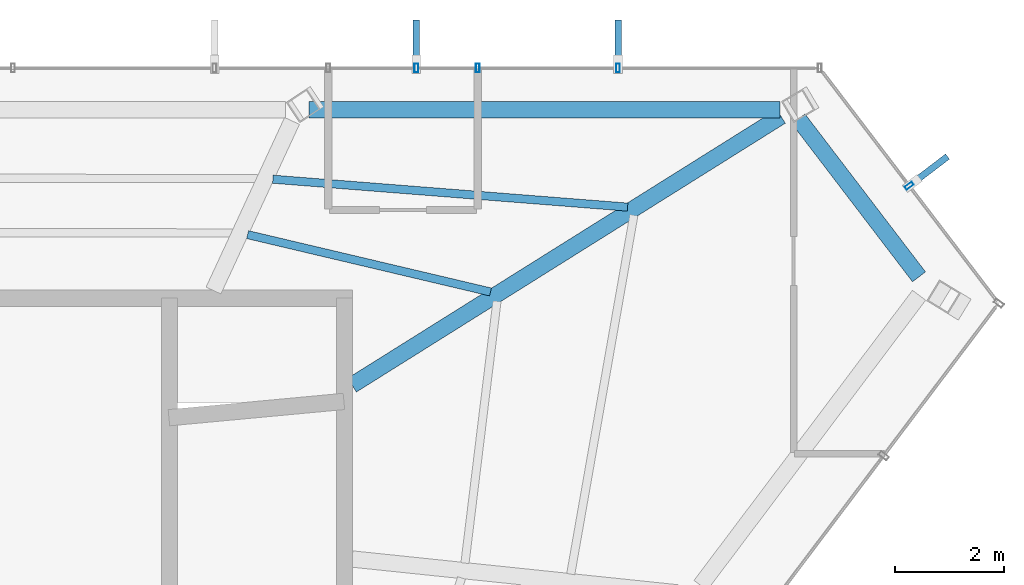
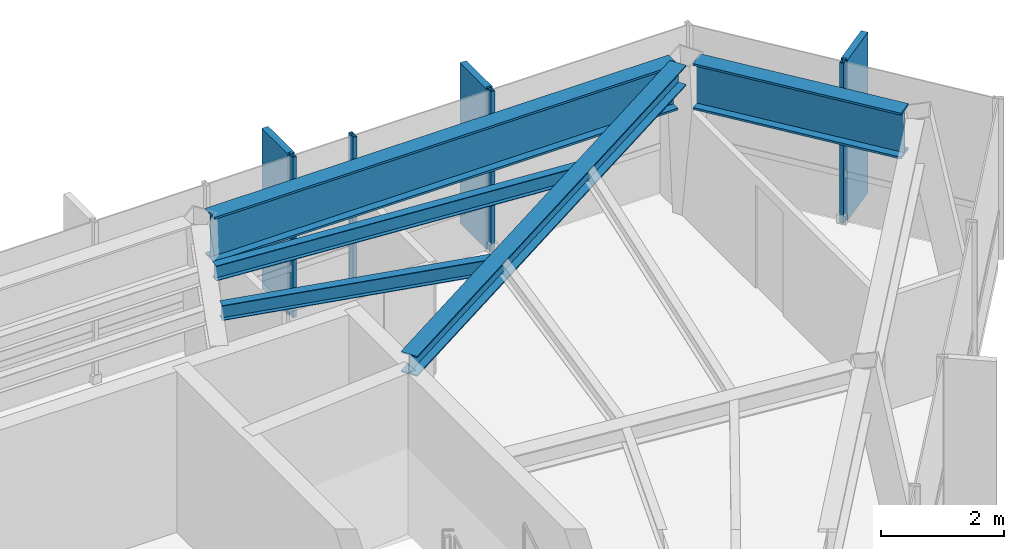
# One storey, part 16 of 21: 7 members, 5 beams, 2 elements without a shape of their own.
"""IFC4 building model written with IfcOpenShell, lengths in metres."""

from ifc_helpers import new_model, si_unit, direction, frame, origin, origin_2d, place, context, subcontext, project, spatial, rectangle, hollow_rectangle, i_section, extrude, material, layer, layer_set, material_profile, profile_set, type_object, element, aggregate, save


model = new_model("IFC4")

# Units and contexts
model_context = context("Model", 3, precision=1e-05, world=origin(), true_north=direction((0.0, 1.0)))
body_context = subcontext(model_context, "Body", "Model", "MODEL_VIEW")
ifc_project = project(units=[si_unit("LENGTHUNIT", "METRE"), si_unit("AREAUNIT", "SQUARE_METRE"), si_unit("VOLUMEUNIT", "CUBIC_METRE"), si_unit("PLANEANGLEUNIT", "RADIAN"), si_unit("MASSUNIT", "GRAM", prefix="KILO")], contexts=[model_context])

# Site, building, storey
site_placement = place(None, origin())
site = spatial("IfcSite", under=ifc_project, at=site_placement, CompositionType="ELEMENT")
building_placement = place(site_placement, origin())
building = spatial("IfcBuilding", under=site, at=building_placement, Name="Zarrinselat Tower", CompositionType="ELEMENT")
storey_placement = place(building_placement, frame((0.0, 0.0, 285.60009765625)))
storey = spatial("IfcBuildingStorey", under=building, at=storey_placement, Name="L73", CompositionType="ELEMENT", Elevation=285.60009765625)

# Beams
ifc_material_1 = material(Name="Steel S355J2", Category="steel")
ifc_material_profile_1 = material_profile(ifc_material_1, i_section(OverallWidth=0.300048828125, OverallDepth=0.39990234375, WebThickness=0.013427734375, FlangeThickness=0.02392578125, at=origin_2d()), Name="HEB 400")
ifc_profile_set_1 = profile_set([ifc_material_profile_1], Name="Steel S355J2")
beam_type_1 = type_object("IfcBeamType", Name="BM-HEB400", PredefinedType="BEAM", material=ifc_profile_set_1)
beam_1_placement = place(storey_placement, frame((48.35009765625, 41.800048828125, 2.97998046875), z_axis=(0.847376332873, 0.53099279702, 0.0), x_axis=(-0.53099279702, 0.847376332873, 0.0)))
element("IfcBeam", 1, at=beam_1_placement, inside=storey, type_object=beam_type_1, Name="L73 Radial Primary Girder RG01", PredefinedType="BEAM", context=body_context, shape_type="SweptSolid", body=[
    extrude(i_section(OverallWidth=0.300048828125, OverallDepth=0.39990234375, WebThickness=0.013427734375, FlangeThickness=0.02392578125, at=origin_2d()), origin(), (0.0, 0.0, 1.0), 9.314697265625),
])
ifc_material_2 = material(Name="Steel S460M", Category="steel")
ifc_material_profile_2 = material_profile(ifc_material_2, i_section(OverallWidth=0.302001953125, OverallDepth=0.909912109375, WebThickness=0.02099609375, FlangeThickness=0.0400390625, at=origin_2d()), Name="HEM 900")
ifc_profile_set_2 = profile_set([ifc_material_profile_2], Name="Steel S460M")
beam_type_2 = type_object("IfcBeamType", Name="BM-HEM900", PredefinedType="BEAM", material=ifc_profile_set_2)
beam_2_placement = place(storey_placement, frame((47.553466796875, 46.86669921875, 2.724853515625), z_axis=(1.0, 0.0, 0.0), x_axis=(0.0, 1.0, 0.0)))
element("IfcBeam", 2, at=beam_2_placement, inside=storey, type_object=beam_type_2, Name="L73 Perimeter Spandrel Girder SP01", PredefinedType="BEAM", context=body_context, shape_type="SweptSolid", body=[
    extrude(i_section(OverallWidth=0.302001953125, OverallDepth=0.909912109375, WebThickness=0.02099609375, FlangeThickness=0.0400390625, at=origin_2d()), origin(), (0.0, 0.0, 1.0), 8.669189453125),
])
beam_3_placement = place(storey_placement, frame((56.564697265625, 46.697509765625, 2.724853515625), z_axis=(0.606807728464, -0.794848652686, 0.0), x_axis=(0.794848652686, 0.606807728464, 0.0)))
element("IfcBeam", 3, at=beam_3_placement, inside=storey, type_object=beam_type_2, Name="L73 Perimeter Spandrel Girder SP15", PredefinedType="BEAM", context=body_context, shape_type="SweptSolid", body=[
    extrude(i_section(OverallWidth=0.302001953125, OverallDepth=0.909912109375, WebThickness=0.02099609375, FlangeThickness=0.0400390625, at=origin_2d()), origin(), (0.0, 0.0, 1.0), 3.65478515625),
])
ifc_material_3 = material(Name="Steel S355J2", Category="steel")
ifc_material_profile_3 = material_profile(ifc_material_3, i_section(OverallWidth=0.14990234375, OverallDepth=0.300048828125, WebThickness=0.007080078125, FlangeThickness=0.0107421875, at=origin_2d()), Name="IPE 300")
ifc_profile_set_3 = profile_set([ifc_material_profile_3], Name="Steel S355J2")
beam_type_3 = type_object("IfcBeamType", Name="BM-IPE300", PredefinedType="JOIST", material=ifc_profile_set_3)
beam_4_placement = place(storey_placement, frame((46.893310546875, 45.588623046875, 3.02978515625), z_axis=(0.996922968668, -0.078387464188, 0.0), x_axis=(0.078387464188, 0.996922968668, 0.0)))
element("IfcBeam", 4, at=beam_4_placement, inside=storey, type_object=beam_type_3, Name="L73 Composite Floor Joist 6-1", PredefinedType="JOIST", context=body_context, shape_type="SweptSolid", body=[
    extrude(i_section(OverallWidth=0.14990234375, OverallDepth=0.300048828125, WebThickness=0.007080078125, FlangeThickness=0.0107421875, at=origin_2d()), origin(), (0.0, 0.0, 1.0), 6.546875),
])
beam_5_placement = place(storey_placement, frame((46.427490234375, 44.56884765625, 3.02978515625), z_axis=(0.973262878143, -0.229694079221, 0.0), x_axis=(0.229694079221, 0.973262878143, 0.0)))
element("IfcBeam", 5, at=beam_5_placement, inside=storey, type_object=beam_type_3, Name="L73 Composite Floor Joist 6-2", PredefinedType="JOIST", context=body_context, shape_type="SweptSolid", body=[
    extrude(i_section(OverallWidth=0.14990234375, OverallDepth=0.300048828125, WebThickness=0.007080078125, FlangeThickness=0.0107421875, at=origin_2d()), origin(), (0.0, 0.0, 1.0), 4.5927734375),
])

# Curtain wall, members
ifc_material_4 = material(Name="Extruded Aluminium Alloy EN AW-6063 T6", Category="aluminium")
ifc_layer = layer(ifc_material_4, 0.169921875)
ifc_layer_set = layer_set([ifc_layer], Name="Extruded Aluminium Alloy EN AW-6063 T6")
curtain_wall_type = type_object("IfcCurtainWallType", Name="CWS-RES", PredefinedType="NOTDEFINED", material=ifc_layer_set)
curtain_wall_1_placement = place(storey_placement, origin())
curtain_wall_1 = element("IfcCurtainWall", 6, at=curtain_wall_1_placement, inside=storey, type_object=curtain_wall_type, Name="L73 Unitised Curtain Wall CW-L73-E01", PredefinedType="NOTDEFINED")
ifc_material_5 = material(Name="Extruded Aluminium Alloy EN AW-6063 T6", Category="aluminium")
ifc_material_profile_4 = material_profile(ifc_material_5, hollow_rectangle(XDim=0.070068359375, YDim=0.159912109375, WallThickness=0.00390625, at=origin_2d()), Name="RHS 160x70x4")
ifc_profile_set_4 = profile_set([ifc_material_profile_4], Name="Extruded Aluminium Alloy EN AW-6063 T6")
member_type_1 = type_object("IfcMemberType", Name="MEM-CW-MUL2", PredefinedType="MULLION", material=ifc_profile_set_4)
member_1_placement = place(storey_placement, frame((53.244140625, 47.63330078125, 0.0), z_axis=(0.0, 0.0, 1.0), x_axis=(-1.0, 0.0, 0.0)))
member_1 = element("IfcMember", 7, at=member_1_placement, type_object=member_type_1, Name="CW-L73-E01 Mullion 1", PredefinedType="MULLION", context=body_context, shape_type="SweptSolid", body=[
    extrude(hollow_rectangle(XDim=0.070068359375, YDim=0.159912109375, WallThickness=0.00390625, at=origin_2d()), origin(), (0.0, 0.0, 1.0), 3.179931640625),
])
member_2_placement = place(storey_placement, frame((50.66259765625, 47.63330078125, 0.0), z_axis=(0.0, 0.0, 1.0), x_axis=(-1.0, 0.0, 0.0)))
member_2 = element("IfcMember", 8, at=member_2_placement, type_object=member_type_1, Name="CW-L73-E01 Mullion 2", PredefinedType="MULLION", context=body_context, shape_type="SweptSolid", body=[
    extrude(hollow_rectangle(XDim=0.070068359375, YDim=0.159912109375, WallThickness=0.00390625, at=origin_2d()), origin(), (0.0, 0.0, 1.0), 3.179931640625),
])
member_3_placement = place(storey_placement, frame((49.532958984375, 47.63330078125, 0.0), z_axis=(0.0, 0.0, 1.0), x_axis=(-1.0, 0.0, 0.0)))
member_3 = element("IfcMember", 9, at=member_3_placement, type_object=member_type_1, Name="CW-L73-E01 Mullion 3", PredefinedType="MULLION", context=body_context, shape_type="SweptSolid", body=[
    extrude(hollow_rectangle(XDim=0.070068359375, YDim=0.159912109375, WallThickness=0.00390625, at=origin_2d()), origin(), (0.0, 0.0, 1.0), 3.179931640625),
])

# Curtain wall, member
curtain_wall_2_placement = place(storey_placement, origin())
curtain_wall_2 = element("IfcCurtainWall", 10, at=curtain_wall_2_placement, inside=storey, type_object=curtain_wall_type, Name="L73 Unitised Curtain Wall CW-L73-E06", PredefinedType="NOTDEFINED")
member_4_placement = place(storey_placement, frame((58.602783203125, 45.469482421875, 0.0), z_axis=(0.0, 0.0, 1.0), x_axis=(-0.605773416753, 0.795637208503, 0.0)))
member_4 = element("IfcMember", 11, at=member_4_placement, type_object=member_type_1, Name="CW-L73-E06 Mullion 1", PredefinedType="MULLION", context=body_context, shape_type="SweptSolid", body=[
    extrude(hollow_rectangle(XDim=0.070068359375, YDim=0.159912109375, WallThickness=0.00390625, at=origin_2d()), origin(), (0.0, 0.0, 1.0), 3.179931640625),
])

# Member
ifc_material_6 = material(Name="Honed Cream Travertine Stone", Category="masonry")
ifc_material_profile_5 = material_profile(ifc_material_6, rectangle(XDim=0.1201171875, YDim=0.85009765625, at=origin_2d()), Name="FIN 850x120")
ifc_profile_set_5 = profile_set([ifc_material_profile_5], Name="Honed Cream Travertine Stone")
member_type_2 = type_object("IfcMemberType", Name="MEM-STONE-FIN", PredefinedType="USERDEFINED", material=ifc_profile_set_5)
member_5_placement = place(storey_placement, frame((53.244140625, 48.09326171875, 0.0), z_axis=(0.0, 0.0, 1.0), x_axis=(1.0, 0.0, 0.0)))
member_5 = element("IfcMember", 12, at=member_5_placement, type_object=member_type_2, Name="L73 Stone Shading Fin CW-L73-E01-01", ObjectType="FIN", PredefinedType="USERDEFINED", context=body_context, shape_type="SweptSolid", body=[
    extrude(rectangle(XDim=0.1201171875, YDim=0.85009765625, at=origin_2d()), origin(), (0.0, 0.0, 1.0), 3.179931640625),
])

member_6_placement = place(storey_placement, frame((49.532958984375, 48.09326171875, 0.0), z_axis=(0.0, 0.0, 1.0), x_axis=(1.0, 0.0, 0.0)))
member_6 = element("IfcMember", 13, at=member_6_placement, type_object=member_type_2, Name="L73 Stone Shading Fin CW-L73-E01-03", ObjectType="FIN", PredefinedType="USERDEFINED", context=body_context, shape_type="SweptSolid", body=[
    extrude(rectangle(XDim=0.1201171875, YDim=0.85009765625, at=origin_2d()), origin(), (0.0, 0.0, 1.0), 3.179931640625),
])

aggregate(curtain_wall_1, [member_1, member_5, member_2, member_3, member_6])

member_7_placement = place(storey_placement, frame((58.968994140625, 45.748291015625, 0.0), z_axis=(0.0, 0.0, 1.0), x_axis=(0.605773416753, -0.795637208503, 0.0)))
member_7 = element("IfcMember", 14, at=member_7_placement, type_object=member_type_2, Name="L73 Stone Shading Fin CW-L73-E06-01", ObjectType="FIN", PredefinedType="USERDEFINED", context=body_context, shape_type="SweptSolid", body=[
    extrude(rectangle(XDim=0.1201171875, YDim=0.85009765625, at=origin_2d()), origin(), (0.0, 0.0, 1.0), 3.179931640625),
])

aggregate(curtain_wall_2, [member_4, member_7])

save(model, "model.ifc")
